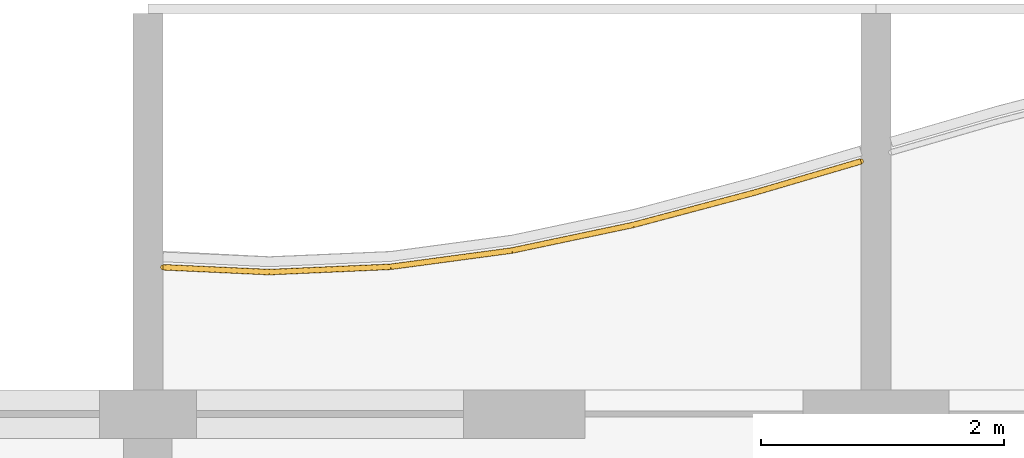
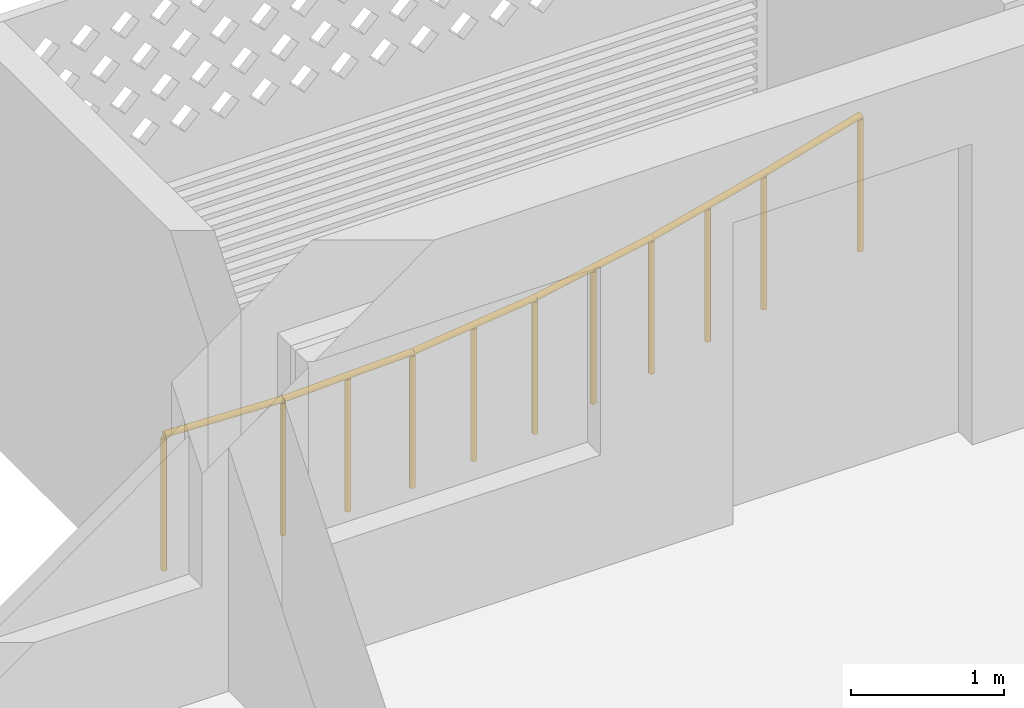
# One storey, part 41 of 44: 1 railing.
"""IFC4 building model written with IfcOpenShell, lengths in metres."""

from ifc_helpers import new_model, si_unit, direction, frame, origin, origin_2d, place, context, subcontext, project, spatial, circle, extrude, material, type_object, element, save


model = new_model("IFC4")

# Units and contexts
model_context = context("Model", 3, precision=1e-05, world=origin(), true_north=direction((0.0, 1.0)))
body_context = subcontext(model_context, "Body", "Model", "MODEL_VIEW")
ifc_project = project(units=[si_unit("LENGTHUNIT", "METRE"), si_unit("AREAUNIT", "SQUARE_METRE"), si_unit("VOLUMEUNIT", "CUBIC_METRE"), si_unit("PLANEANGLEUNIT", "RADIAN"), si_unit("MASSUNIT", "GRAM", prefix="KILO")], contexts=[model_context])

# Site, building, storey
site_placement = place(None, origin())
site = spatial("IfcSite", under=ifc_project, at=site_placement, CompositionType="ELEMENT")
building_placement = place(site_placement, origin())
building = spatial("IfcBuilding", under=site, at=building_placement, Name="Poui Terraces", CompositionType="ELEMENT")
storey_placement = place(building_placement, frame((0.0, 0.0, 30.0)))
storey = spatial("IfcBuildingStorey", under=building, at=storey_placement, Name="L07", CompositionType="ELEMENT", Elevation=30.0)

# Railing
ifc_material = material(Name="Painted steel fretwork", Category="steel")
railing_type = type_object("IfcRailingType", Name="BALCONY GUARD 1100", PredefinedType="GUARDRAIL", material=ifc_material)
railing_placement = place(storey_placement, frame((84.125, 46.010009765625, 0.0)))
element("IfcRailing", 1, at=railing_placement, inside=storey, type_object=railing_type, Name="BALCONY GUARD", PredefinedType="GUARDRAIL", context=body_context, shape_type="SweptSolid", body=[
    extrude(circle(Radius=0.02392578125, at=origin_2d()), frame((0.0, 0.0, 1.076171875), z_axis=(0.998967390489, -0.045432947726, 0.0), x_axis=(0.045432947726, 0.998967390489, 0.0)), (0.0, 0.0, 1.0), 0.8759765625),
    extrude(circle(Radius=0.02392578125, at=origin_2d()), frame((0.875, -0.039794921875, 1.076171875), z_axis=(0.999046469355, 0.043659501468, 0.0), x_axis=(-0.043659501468, 0.999046469355, 0.0)), (0.0, 0.0, 1.0), 1.0009765625),
    extrude(circle(Radius=0.02392578125, at=origin_2d()), frame((1.875, 0.00390625, 1.076171875), z_axis=(0.991104904979, 0.133082934018, 0.0), x_axis=(-0.133082934018, 0.991104904979, 0.0)), (0.0, 0.0, 1.0), 1.009033203125),
    extrude(circle(Radius=0.02392578125, at=origin_2d()), frame((2.875, 0.13818359375, 1.076171875), z_axis=(0.978420335295, 0.206624411629, 0.0), x_axis=(-0.206624411629, 0.978420335295, 0.0)), (0.0, 0.0, 1.0), 1.02197265625),
    extrude(circle(Radius=0.02392578125, at=origin_2d()), frame((3.875, 0.349365234375, 1.076171875), z_axis=(0.966309295868, 0.257383652781, 0.0), x_axis=(-0.257383652781, 0.966309295868, 0.0)), (0.0, 0.0, 1.0), 1.034912109375),
    extrude(circle(Radius=0.02392578125, at=origin_2d()), frame((4.875, 0.61572265625, 1.076171875), z_axis=(0.959518831385, 0.281644478409, 0.0), x_axis=(-0.281644478409, 0.959518831385, 0.0)), (0.0, 0.0, 1.0), 0.911865234375),
    extrude(circle(Radius=0.02099609375, at=origin_2d()), origin(), (0.0, 0.0, 1.0), 1.052001953125),
    extrude(circle(Radius=0.02099609375, at=origin_2d()), frame((0.875, -0.039794921875, 0.0)), (0.0, 0.0, 1.0), 1.052001953125),
    extrude(circle(Radius=0.02099609375, at=origin_2d()), frame((1.375, -0.01806640625, 0.0)), (0.0, 0.0, 1.0), 1.052001953125),
    extrude(circle(Radius=0.02099609375, at=origin_2d()), frame((1.875, 0.00390625, 0.0)), (0.0, 0.0, 1.0), 1.052001953125),
    extrude(circle(Radius=0.02099609375, at=origin_2d()), frame((2.375, 0.071044921875, 0.0)), (0.0, 0.0, 1.0), 1.052001953125),
    extrude(circle(Radius=0.02099609375, at=origin_2d()), frame((2.875, 0.13818359375, 0.0)), (0.0, 0.0, 1.0), 1.052001953125),
    extrude(circle(Radius=0.02099609375, at=origin_2d()), frame((3.375, 0.24365234375, 0.0)), (0.0, 0.0, 1.0), 1.052001953125),
    extrude(circle(Radius=0.02099609375, at=origin_2d()), frame((3.875, 0.349365234375, 0.0)), (0.0, 0.0, 1.0), 1.052001953125),
    extrude(circle(Radius=0.02099609375, at=origin_2d()), frame((4.375, 0.482421875, 0.0)), (0.0, 0.0, 1.0), 1.052001953125),
    extrude(circle(Radius=0.02099609375, at=origin_2d()), frame((4.875, 0.61572265625, 0.0)), (0.0, 0.0, 1.0), 1.052001953125),
    extrude(circle(Radius=0.02099609375, at=origin_2d()), frame((5.75, 0.87255859375, 0.0)), (0.0, 0.0, 1.0), 1.052001953125),
])

save(model, "model.ifc")
